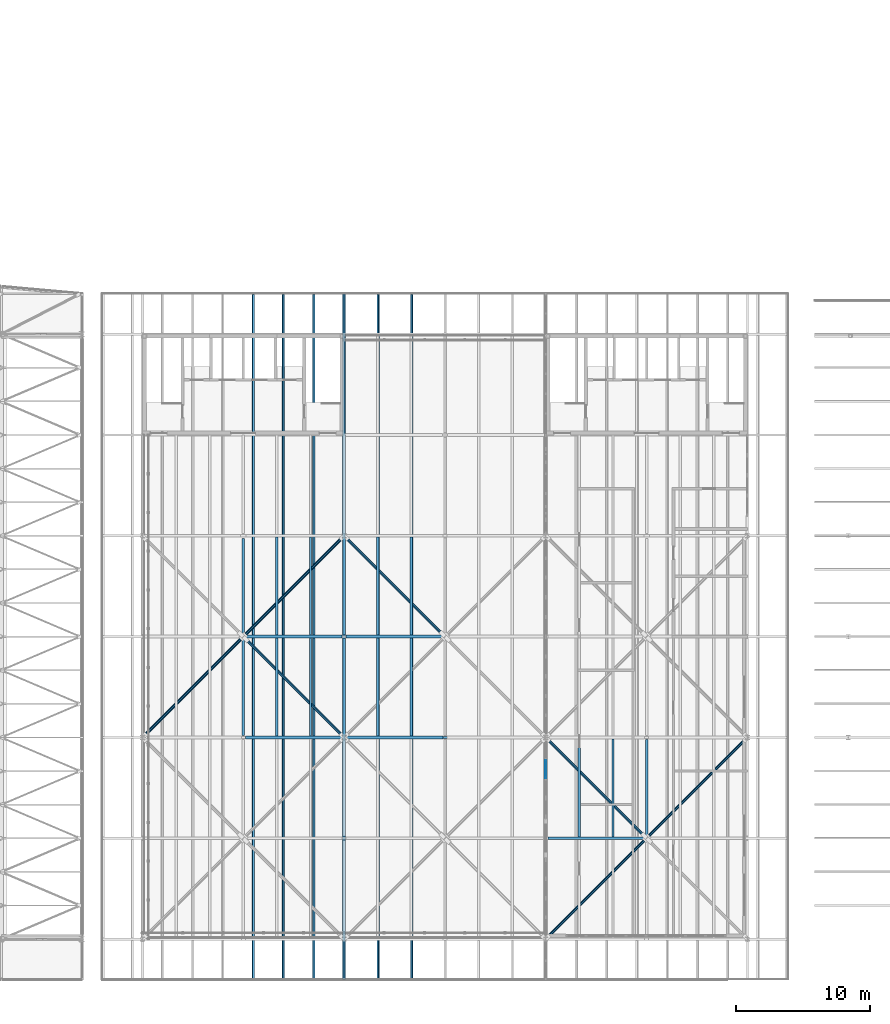
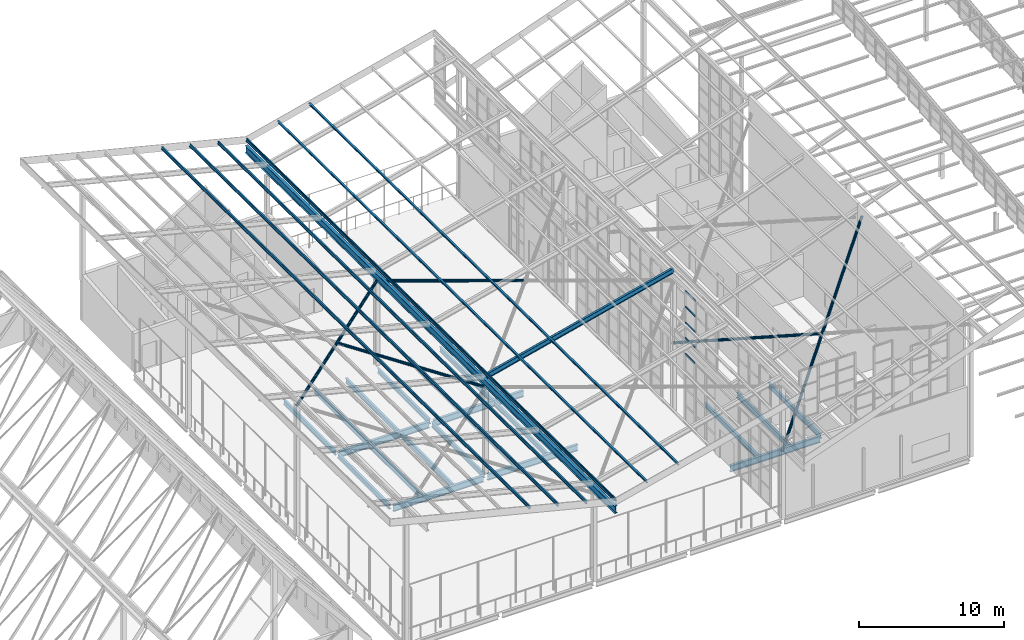
# One storey, part 30 of 483: 21 beams, 18 members, 2 elements without a shape of their own.
"""IFC4 building model written with IfcOpenShell, lengths in metres."""

from ifc_helpers import new_model, si_unit, direction, frame, origin, origin_2d, place, context, subcontext, project, spatial, rectangle, hollow_circle, i_section, extrude, material, material_profile, profile_set, type_object, element, aggregate, save


model = new_model("IFC4")

# Units and contexts
model_context = context("Model", 3, precision=1e-05, world=origin(), true_north=direction((0.0, 1.0)))
body_context = subcontext(model_context, "Body", "Model", "MODEL_VIEW")
ifc_project = project(units=[si_unit("LENGTHUNIT", "METRE"), si_unit("AREAUNIT", "SQUARE_METRE"), si_unit("VOLUMEUNIT", "CUBIC_METRE"), si_unit("PLANEANGLEUNIT", "RADIAN"), si_unit("MASSUNIT", "GRAM", prefix="KILO")], contexts=[model_context])

# Site, building, storey
site_placement = place(None, origin())
site = spatial("IfcSite", under=ifc_project, at=site_placement, CompositionType="ELEMENT")
building_placement = place(site_placement, origin())
building = spatial("IfcBuilding", under=site, at=building_placement, Name="Parallax Yard Mobility Hub", CompositionType="ELEMENT")
storey_placement = place(building_placement, frame((0.0, 0.0, 13.199951171875)))
storey = spatial("IfcBuildingStorey", under=building, at=storey_placement, Name="L04", CompositionType="ELEMENT", Elevation=13.199951171875)

# Members
ifc_material_1 = material(Name="Steel ASTM A500 Gr C", Category="steel")
ifc_material_profile_1 = material_profile(ifc_material_1, hollow_circle(Radius=0.109619140625, WallThickness=0.008056640625, at=origin_2d()), Name="HSS219.1x8.0")
ifc_profile_set_1 = profile_set([ifc_material_profile_1], Name="Steel ASTM A500 Gr C")
member_type_1 = type_object("IfcMemberType", Name="Roof brace HSS219.1x8.0", PredefinedType="BRACE", material=ifc_profile_set_1)
member_1_placement = place(storey_placement, frame((97.5, 22.5, 10.96044921875), z_axis=(0.695451893318, 0.695451893318, -0.180812964581), x_axis=(-0.707106781187, 0.707106781187, 0.0)))
element("IfcMember", 1, at=member_1_placement, inside=storey, type_object=member_type_1, Name="Roof X brace west wing bay 2 1", PredefinedType="BRACE", context=body_context, shape_type="SweptSolid", body=[
    extrude(hollow_circle(Radius=0.109619140625, WallThickness=0.008056640625, at=origin_2d()), origin(), (0.0, 0.0, 1.0), 21.568603515625),
])
member_2_placement = place(storey_placement, frame((112.5, 22.5, 7.21044921875), z_axis=(-0.697138271345, 0.697138271345, 0.167321430943), x_axis=(-0.707106781187, -0.707106781187, 0.0)))
element("IfcMember", 2, at=member_2_placement, inside=storey, type_object=member_type_1, Name="Roof X brace west wing bay 2 2 (half 1)", PredefinedType="BRACE", context=body_context, shape_type="SweptSolid", body=[
    extrude(hollow_circle(Radius=0.109619140625, WallThickness=0.008056640625, at=origin_2d()), origin(), (0.0, 0.0, 1.0), 10.65869140625),
])
member_3_placement = place(storey_placement, frame((112.5, 37.5, 7.060546875), z_axis=(0.695452358349, -0.695452358349, 0.180809387292), x_axis=(0.707106781187, 0.707106781187, 0.0)))
element("IfcMember", 3, at=member_3_placement, inside=storey, type_object=member_type_1, Name="Roof X brace east wing bay 2 2 (half 1)", PredefinedType="BRACE", context=body_context, shape_type="SweptSolid", body=[
    extrude(hollow_circle(Radius=0.109619140625, WallThickness=0.008056640625, at=origin_2d()), origin(), (0.0, 0.0, 1.0), 10.6845703125),
])
member_4_placement = place(storey_placement, frame((127.5, 7.5, 5.6904296875), z_axis=(0.685253810014, 0.685253810014, 0.246686910317), x_axis=(-0.707106781187, 0.707106781187, 0.0)))
element("IfcMember", 4, at=member_4_placement, inside=storey, type_object=member_type_1, Name="Roof X brace pavilion bay 1 1", PredefinedType="BRACE", context=body_context, shape_type="SweptSolid", body=[
    extrude(hollow_circle(Radius=0.109619140625, WallThickness=0.008056640625, at=origin_2d()), origin(), (0.0, 0.0, 1.0), 21.8896484375),
])
member_5_placement = place(storey_placement, frame((127.5, 22.5, 5.6904296875), z_axis=(0.685250772512, -0.685250772512, 0.246703785018), x_axis=(0.707106781187, 0.707106781187, 0.0)))
element("IfcMember", 5, at=member_5_placement, inside=storey, type_object=member_type_1, Name="Roof X brace pavilion bay 1 2 (half 1)", PredefinedType="BRACE", context=body_context, shape_type="SweptSolid", body=[
    extrude(hollow_circle(Radius=0.109619140625, WallThickness=0.008056640625, at=origin_2d()), origin(), (0.0, 0.0, 1.0), 10.84521484375),
])
ifc_material_2 = material(Name="Steel ASTM A992", Category="steel")
ifc_material_profile_2 = material_profile(ifc_material_2, i_section(OverallWidth=0.133056640625, OverallDepth=0.20703125, WebThickness=0.005859375, FlangeThickness=0.00830078125, at=origin_2d()), Name="W200x27")
ifc_profile_set_2 = profile_set([ifc_material_profile_2], Name="Steel ASTM A992")
member_type_2 = type_object("IfcMemberType", Name="Roof purlin W200x27", PredefinedType="PURLIN", material=ifc_profile_set_2)
for number, where, z_axis, x_axis, name in (
    (6, (105.724853515625, 4.55908203125, 10.282470703125), (0.0, 0.999950005669, -0.009999308131), (-0.970145223913, 0.002425079502, 0.242512604844), "Roof purlin court west wing line 6"),
    (7, (107.974853515625, 4.55908203125, 9.719970703125), (0.0, 0.999950005669, -0.009999308131), (-0.970145223913, 0.002425079502, 0.242512604844), "Roof purlin court west wing line 7"),
    (8, (110.224853515625, 4.55908203125, 9.157470703125), (0.0, 0.999950005669, -0.009999308131), (-0.970145223913, 0.002425079502, 0.242512604844), "Roof purlin court west wing line 8"),
    (9, (112.474853515625, 4.55908203125, 8.594970703125), (0.0, 0.999950005669, -0.009999308131), (-0.970145223913, 0.002425079502, 0.242512604844), "Roof purlin court west wing line 9"),
    (10, (112.525146484375, 4.55908203125, 8.594970703125), (0.0, 0.999950005669, -0.009999308131), (-0.970145223913, -0.002425079502, -0.242512604844), "Roof purlin court east wing line 1"),
    (11, (115.025146484375, 4.55908203125, 9.219970703125), (0.0, 0.999950005669, -0.009999308131), (-0.970145223913, -0.002425079502, -0.242512604844), "Roof purlin court east wing line 2"),
    (12, (117.525146484375, 4.55908203125, 9.844970703125), (0.0, 0.999950005669, -0.009999308131), (-0.970145223913, -0.002425079502, -0.242512604844), "Roof purlin court east wing line 3"),
):
    element("IfcMember", number, at=place(storey_placement, frame(where, z_axis=z_axis, x_axis=x_axis)), inside=storey, type_object=member_type_2, Name=name, PredefinedType="PURLIN", context=body_context, shape_type="SweptSolid", body=[
        extrude(i_section(OverallWidth=0.133056640625, OverallDepth=0.20703125, WebThickness=0.005859375, FlangeThickness=0.00830078125, at=origin_2d()), origin(), (0.0, 0.0, 1.0), 50.88232421875),
    ])
ifc_material_profile_3 = material_profile(ifc_material_2, i_section(OverallWidth=0.177978515625, OverallDepth=0.406982421875, WebThickness=0.0078125, FlangeThickness=0.0126953125, at=origin_2d()), Name="W410x60")
ifc_profile_set_3 = profile_set([ifc_material_profile_3], Name="Steel ASTM A992")
member_type_3 = type_object("IfcMemberType", Name="Roof rafter W410x60", PredefinedType="RAFTER", material=ifc_profile_set_3)
member_6_placement = place(storey_placement, frame((112.54931640625, 22.498046875, 8.105224609375), z_axis=(0.970146227735, 0.0, 0.24252071419), x_axis=(0.002352544988, 0.999952950131, -0.009410794676)))
element("IfcMember", 13, at=member_6_placement, inside=storey, type_object=member_type_3, Name="Roof rafter court east wing at y 22.5", PredefinedType="RAFTER", context=body_context, shape_type="SweptSolid", body=[
    extrude(i_section(OverallWidth=0.177978515625, OverallDepth=0.406982421875, WebThickness=0.0078125, FlangeThickness=0.0126953125, at=origin_2d()), origin(), (0.0, 0.0, 1.0), 15.41015625),
])

# Beam
ifc_material_profile_4 = material_profile(ifc_material_2, i_section(OverallWidth=0.22802734375, OverallDepth=0.60302734375, WebThickness=0.010498046875, FlangeThickness=0.014892578125, at=origin_2d()), Name="W610x101")
ifc_profile_set_4 = profile_set([ifc_material_profile_4], Name="Steel ASTM A992")
beam_type_1 = type_object("IfcBeamType", Name="Roof valley girder W610x101", PredefinedType="BEAM", material=ifc_profile_set_4)
beam_1_placement = place(storey_placement, frame((112.5, 4.5, 7.801513671875), z_axis=(0.0, 0.999950001835, -0.009999691492), x_axis=(-1.0, 0.0, 0.0)))
element("IfcBeam", 14, at=beam_1_placement, inside=storey, type_object=beam_type_1, Name="Roof valley girder butterfly line x 112.5", PredefinedType="BEAM", context=body_context, shape_type="SweptSolid", body=[
    extrude(i_section(OverallWidth=0.22802734375, OverallDepth=0.60302734375, WebThickness=0.010498046875, FlangeThickness=0.014892578125, at=origin_2d()), origin(), (0.0, 0.0, 1.0), 51.00244140625),
])

# Curtain wall, members
ifc_material_3 = material(Name="Thermally broken aluminium curtain wall system", Category="aluminium")
curtain_wall_type_1 = type_object("IfcCurtainWallType", Name="Clerestory glazing run 60 x 120 frame", PredefinedType="NOTDEFINED", material=ifc_material_3)
curtain_wall_1_placement = place(storey_placement, origin())
curtain_wall_1 = element("IfcCurtainWall", 15, at=curtain_wall_1_placement, inside=storey, type_object=curtain_wall_type_1, Name="Clerestory glazing run Rooftop sports deck roof step 1 bay 2 level L04", PredefinedType="NOTDEFINED")
ifc_material_4 = material(Name="Extruded aluminium", Category="aluminium")
ifc_material_profile_5 = material_profile(ifc_material_4, rectangle(XDim=0.06005859375, YDim=0.10009765625, at=origin_2d()), Name="Transom 60 x 100")
ifc_profile_set_5 = profile_set([ifc_material_profile_5], Name="Extruded aluminium")
member_type_4 = type_object("IfcMemberType", Name="Transom 60 x 100", PredefinedType="USERDEFINED", material=ifc_profile_set_5)
member_7_placement = place(storey_placement, frame((127.5, 19.468017578125, 7.117919921875), z_axis=(0.0, 1.0, 0.0), x_axis=(-1.0, 0.0, 0.0)))
member_7 = element("IfcMember", 16, at=member_7_placement, type_object=member_type_4, Name="CW4 transom 1.1", ObjectType="TRANSOM", PredefinedType="USERDEFINED", context=body_context, shape_type="SweptSolid", body=[
    extrude(rectangle(XDim=0.06005859375, YDim=0.10009765625, at=origin_2d()), origin(), (0.0, 0.0, 1.0), 1.34912109375),
])
member_8_placement = place(storey_placement, frame((127.5, 19.468017578125, 8.420654296875), z_axis=(0.0, 1.0, 0.0), x_axis=(-1.0, 0.0, 0.0)))
member_8 = element("IfcMember", 17, at=member_8_placement, type_object=member_type_4, Name="CW4 transom 1.2", ObjectType="TRANSOM", PredefinedType="USERDEFINED", context=body_context, shape_type="SweptSolid", body=[
    extrude(rectangle(XDim=0.06005859375, YDim=0.10009765625, at=origin_2d()), origin(), (0.0, 0.0, 1.0), 1.34912109375),
])
member_9_placement = place(storey_placement, frame((127.5, 19.468017578125, 9.75341796875), z_axis=(0.0, 1.0, 0.0), x_axis=(-1.0, 0.0, 0.0)))
member_9 = element("IfcMember", 18, at=member_9_placement, type_object=member_type_4, Name="CW4 transom 1.3", ObjectType="TRANSOM", PredefinedType="USERDEFINED", context=body_context, shape_type="SweptSolid", body=[
    extrude(rectangle(XDim=0.06005859375, YDim=0.10009765625, at=origin_2d()), origin(), (0.0, 0.0, 1.0), 1.34912109375),
])
member_10_placement = place(storey_placement, frame((127.5, 19.468017578125, 11.05615234375), z_axis=(0.0, 1.0, 0.0), x_axis=(-1.0, 0.0, 0.0)))
member_10 = element("IfcMember", 19, at=member_10_placement, type_object=member_type_4, Name="CW4 transom 1.4", ObjectType="TRANSOM", PredefinedType="USERDEFINED", context=body_context, shape_type="SweptSolid", body=[
    extrude(rectangle(XDim=0.06005859375, YDim=0.10009765625, at=origin_2d()), origin(), (0.0, 0.0, 1.0), 1.34912109375),
])
aggregate(curtain_wall_1, [member_7, member_8, member_9, member_10])

# Curtain wall, member
curtain_wall_type_2 = type_object("IfcCurtainWallType", Name="Tall curtain wall run 75 x 200 frame", PredefinedType="NOTDEFINED", material=ifc_material_3)
curtain_wall_2_placement = place(storey_placement, origin())
curtain_wall_2 = element("IfcCurtainWall", 20, at=curtain_wall_2_placement, inside=storey, type_object=curtain_wall_type_2, Name="Curtain wall run Rooftop sports deck west bay 1 level L04", PredefinedType="NOTDEFINED")
ifc_material_profile_6 = material_profile(ifc_material_4, rectangle(XDim=0.074951171875, YDim=0.14990234375, at=origin_2d()), Name="Transom 75 x 150")
ifc_profile_set_6 = profile_set([ifc_material_profile_6], Name="Extruded aluminium")
member_type_5 = type_object("IfcMemberType", Name="Transom 75 x 150", PredefinedType="USERDEFINED", material=ifc_profile_set_6)
member_11_placement = place(storey_placement, frame((127.5, 19.54833984375, 5.762451171875), z_axis=(0.0, 1.0, 0.0), x_axis=(-1.0, 0.0, 0.0)))
member_11 = element("IfcMember", 21, at=member_11_placement, type_object=member_type_5, Name="CW3 transom 1.5", ObjectType="TRANSOM", PredefinedType="USERDEFINED", context=body_context, shape_type="SweptSolid", body=[
    extrude(rectangle(XDim=0.074951171875, YDim=0.14990234375, at=origin_2d()), origin(), (0.0, 0.0, 1.0), 1.28662109375),
])
aggregate(curtain_wall_2, [member_11])

# Beams
ifc_material_profile_7 = material_profile(ifc_material_2, i_section(OverallWidth=0.177978515625, OverallDepth=0.406005859375, WebThickness=0.0078125, FlangeThickness=0.0126953125, FilletRadius=0.01025390625, at=origin_2d()), Name="W410x60")
ifc_profile_set_7 = profile_set([ifc_material_profile_7], Name="Steel ASTM A992")
beam_type_2 = type_object("IfcBeamType", Name="W410x60 secondary beam", PredefinedType="JOIST", material=ifc_profile_set_7)
for number, where, z_axis, x_axis, name in (
    (22, (107.5, 22.6044921875, -0.343017578125), (0.0, 1.0, 0.0), (-1.0, 0.0, 0.0), "Secondary beam B1 level L04, 2.5 m east of line 15 of mobility service centre and workshops, span 3"),
    (23, (107.5, 30.1044921875, -0.343017578125), (0.0, 1.0, 0.0), (-1.0, 0.0, 0.0), "Secondary beam B1 level L04, 2.5 m east of line 15 of mobility service centre and workshops, span 4"),
    (24, (115.0, 22.6044921875, -0.343017578125), (0.0, 1.0, 0.0), (-1.0, 0.0, 0.0), "Secondary beam B1 level L04, 2.5 m east of line 16 of mobility service centre and workshops, span 3"),
    (25, (115.0, 30.1044921875, -0.343017578125), (0.0, 1.0, 0.0), (-1.0, 0.0, 0.0), "Secondary beam B1 level L04, 2.5 m east of line 16 of mobility service centre and workshops, span 4"),
    (26, (130.0, 15.1044921875, -0.343017578125), (0.0, 1.0, 0.0), (-1.0, 0.0, 0.0), "Secondary beam B1 level L04, 2.5 m east of line 18 of mobility service centre and workshops, span 2"),
    (27, (110.0, 22.6044921875, -0.343017578125), (0.0, 1.0, 0.0), (-1.0, 0.0, 0.0), "Secondary beam B1 level L04, 5 m east of line 15 of mobility service centre and workshops, span 3"),
    (28, (110.0, 30.1044921875, -0.343017578125), (0.0, 1.0, 0.0), (-1.0, 0.0, 0.0), "Secondary beam B1 level L04, 5 m east of line 15 of mobility service centre and workshops, span 4"),
    (29, (117.5, 22.6044921875, -0.343017578125), (0.0, 1.0, 0.0), (-1.0, 0.0, 0.0), "Secondary beam B1 level L04, 5 m east of line 16 of mobility service centre and workshops, span 3"),
    (30, (117.5, 30.1044921875, -0.343017578125), (0.0, 1.0, 0.0), (-1.0, 0.0, 0.0), "Secondary beam B1 level L04, 5 m east of line 16 of mobility service centre and workshops, span 4"),
    (31, (132.5, 15.1044921875, -0.343017578125), (0.0, 1.0, 0.0), (-1.0, 0.0, 0.0), "Secondary beam B1 level L04, 5 m east of line 18 of mobility service centre and workshops, span 2"),
):
    element("IfcBeam", number, at=place(storey_placement, frame(where, z_axis=z_axis, x_axis=x_axis)), inside=storey, type_object=beam_type_2, Name=name, PredefinedType="JOIST", context=body_context, shape_type="SweptSolid", body=[
        extrude(i_section(OverallWidth=0.177978515625, OverallDepth=0.406005859375, WebThickness=0.0078125, FlangeThickness=0.0126953125, FilletRadius=0.01025390625, at=origin_2d()), origin(), (0.0, 0.0, 1.0), 7.291015625),
    ])
ifc_material_profile_8 = material_profile(ifc_material_2, i_section(OverallWidth=0.178955078125, OverallDepth=0.408935546875, WebThickness=0.0087890625, FlangeThickness=0.014404296875, FilletRadius=0.01025390625, at=origin_2d()), Name="W410x67")
ifc_profile_set_8 = profile_set([ifc_material_profile_8], Name="Steel ASTM A992")
beam_type_3 = type_object("IfcBeamType", Name="W410x67 girder", PredefinedType="BEAM", material=ifc_profile_set_8)
beam_2_placement = place(storey_placement, frame((105.0, 22.653564453125, -0.344482421875), z_axis=(0.0, 1.0, 0.0), x_axis=(-1.0, 0.0, 0.0)))
element("IfcBeam", 32, at=beam_2_placement, inside=storey, type_object=beam_type_3, Name="Girder G1 level L04, line 15 of mobility service centre and workshops, span 3", PredefinedType="BEAM", context=body_context, shape_type="SweptSolid", body=[
    extrude(i_section(OverallWidth=0.178955078125, OverallDepth=0.408935546875, WebThickness=0.0087890625, FlangeThickness=0.014404296875, FilletRadius=0.01025390625, at=origin_2d()), origin(), (0.0, 0.0, 1.0), 7.19287109375),
])
beam_3_placement = place(storey_placement, frame((105.0, 30.153564453125, -0.344482421875), z_axis=(0.0, 1.0, 0.0), x_axis=(-1.0, 0.0, 0.0)))
element("IfcBeam", 33, at=beam_3_placement, inside=storey, type_object=beam_type_3, Name="Girder G1 level L04, line 15 of mobility service centre and workshops, span 4", PredefinedType="BEAM", context=body_context, shape_type="SweptSolid", body=[
    extrude(i_section(OverallWidth=0.178955078125, OverallDepth=0.408935546875, WebThickness=0.0087890625, FlangeThickness=0.014404296875, FilletRadius=0.01025390625, at=origin_2d()), origin(), (0.0, 0.0, 1.0), 7.158447265625),
])
beam_4_placement = place(storey_placement, frame((112.5, 22.653564453125, -0.344482421875), z_axis=(0.0, 1.0, 0.0), x_axis=(-1.0, 0.0, 0.0)))
element("IfcBeam", 34, at=beam_4_placement, inside=storey, type_object=beam_type_3, Name="Girder G1 level L04, line 16 of mobility service centre and workshops, span 3", PredefinedType="BEAM", context=body_context, shape_type="SweptSolid", body=[
    extrude(i_section(OverallWidth=0.178955078125, OverallDepth=0.408935546875, WebThickness=0.0087890625, FlangeThickness=0.014404296875, FilletRadius=0.01025390625, at=origin_2d()), origin(), (0.0, 0.0, 1.0), 7.19287109375),
])
beam_5_placement = place(storey_placement, frame((112.5, 30.153564453125, -0.344482421875), z_axis=(0.0, 1.0, 0.0), x_axis=(-1.0, 0.0, 0.0)))
element("IfcBeam", 35, at=beam_5_placement, inside=storey, type_object=beam_type_3, Name="Girder G1 level L04, line 16 of mobility service centre and workshops, span 4", PredefinedType="BEAM", context=body_context, shape_type="SweptSolid", body=[
    extrude(i_section(OverallWidth=0.178955078125, OverallDepth=0.408935546875, WebThickness=0.0087890625, FlangeThickness=0.014404296875, FilletRadius=0.01025390625, at=origin_2d()), origin(), (0.0, 0.0, 1.0), 7.1875),
])
beam_6_placement = place(storey_placement, frame((135.0, 15.153564453125, -0.344482421875), z_axis=(0.0, 1.0, 0.0), x_axis=(-1.0, 0.0, 0.0)))
element("IfcBeam", 36, at=beam_6_placement, inside=storey, type_object=beam_type_3, Name="Girder G1 level L04, line 19 of mobility service centre and workshops, span 2", PredefinedType="BEAM", context=body_context, shape_type="SweptSolid", body=[
    extrude(i_section(OverallWidth=0.178955078125, OverallDepth=0.408935546875, WebThickness=0.0087890625, FlangeThickness=0.014404296875, FilletRadius=0.01025390625, at=origin_2d()), origin(), (0.0, 0.0, 1.0), 7.19287109375),
])
ifc_material_profile_9 = material_profile(ifc_material_2, i_section(OverallWidth=0.208984375, OverallDepth=0.532958984375, WebThickness=0.01025390625, FlangeThickness=0.015625, FilletRadius=0.0126953125, at=origin_2d()), Name="W530x92")
ifc_profile_set_9 = profile_set([ifc_material_profile_9], Name="Steel ASTM A992")
beam_type_4 = type_object("IfcBeamType", Name="W530x92 longitudinal beam", PredefinedType="BEAM", material=ifc_profile_set_9)
for number, where, z_axis, x_axis, name in (
    (37, (127.652587890625, 15.0, -0.406494140625), (1.0, 0.0, 0.0), (0.0, 1.0, 0.0), "Longitudinal beam SB6 level L04, line C of mobility service centre and workshops, span 5"),
    (38, (105.152587890625, 22.5, -0.406494140625), (1.0, 0.0, 0.0), (0.0, 1.0, 0.0), "Longitudinal beam SB6 level L04, line D of mobility service centre and workshops, span 2"),
    (39, (112.652587890625, 22.5, -0.406494140625), (1.0, 0.0, 0.0), (0.0, 1.0, 0.0), "Longitudinal beam SB6 level L04, line D of mobility service centre and workshops, span 3"),
    (40, (105.152587890625, 30.0, -0.406494140625), (1.0, 0.0, 0.0), (0.0, 1.0, 0.0), "Longitudinal beam SB6 level L04, line E of mobility service centre and workshops, span 2"),
    (41, (112.652587890625, 30.0, -0.406494140625), (1.0, 0.0, 0.0), (0.0, 1.0, 0.0), "Longitudinal beam SB6 level L04, line E of mobility service centre and workshops, span 3"),
):
    element("IfcBeam", number, at=place(storey_placement, frame(where, z_axis=z_axis, x_axis=x_axis)), inside=storey, type_object=beam_type_4, Name=name, PredefinedType="BEAM", context=body_context, shape_type="SweptSolid", body=[
        extrude(i_section(OverallWidth=0.208984375, OverallDepth=0.532958984375, WebThickness=0.01025390625, FlangeThickness=0.015625, FilletRadius=0.0126953125, at=origin_2d()), origin(), (0.0, 0.0, 1.0), 7.19482421875),
    ])

save(model, "model.ifc")
